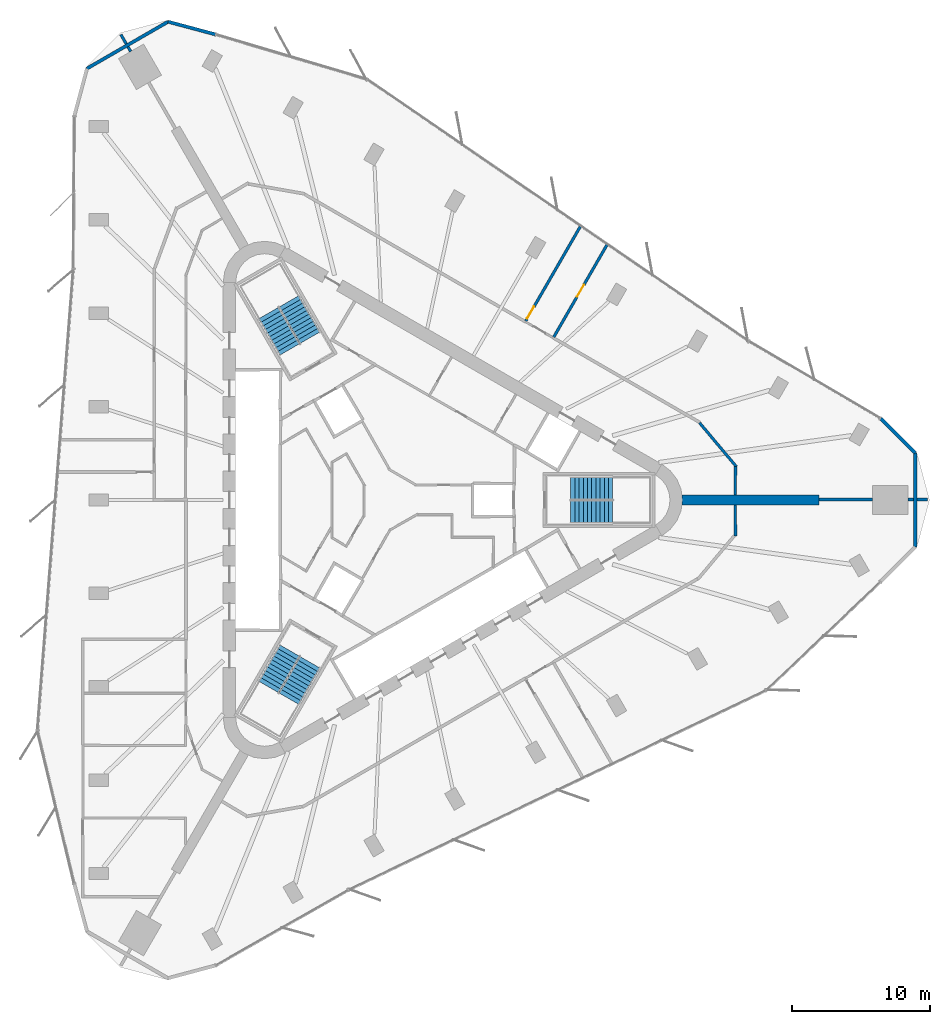
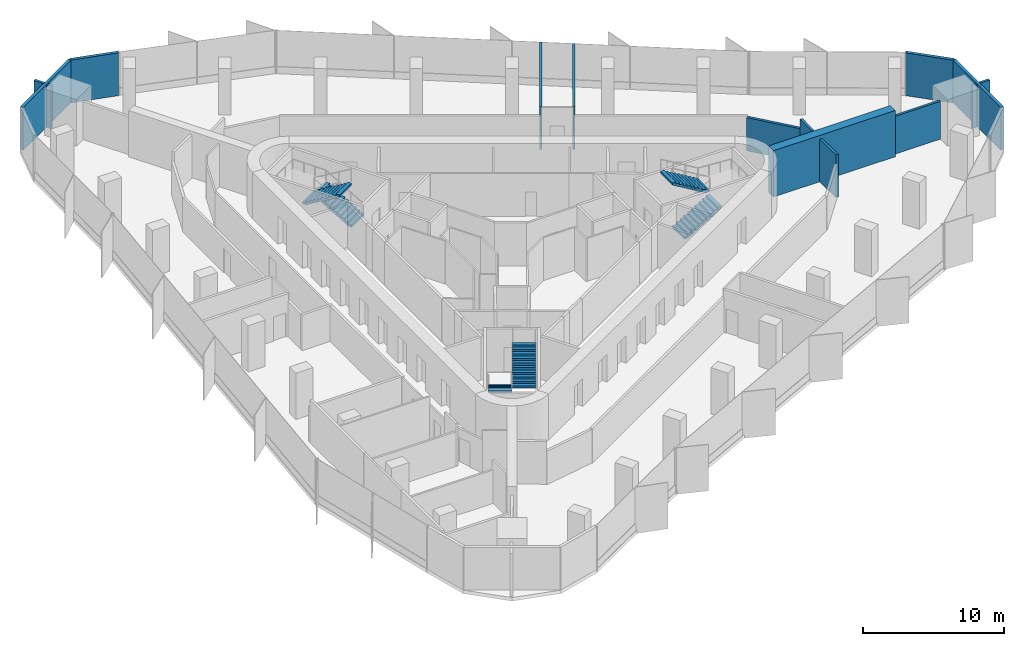
# One storey, part 12 of 13: 15 walls, 6 stair flights, 2 doors, 2 openings, 3 elements without a shape of their own.
"""IFC4 building model written with IfcOpenShell, lengths in metres."""

import ifcopenshell
import ifcopenshell.guid

model = None  # the IFC model being written
_history = None  # IfcOwnerHistory: only IFC2X3 demands one
_inside = {}  # id of a spatial element -> (the spatial element, [elements in it])
_under = {}  # id of a project, library or spatial element -> (it, [spatial elements below it])
_declared = {}  # id of a project -> (the project, [libraries it declares])
_typed = {}  # id of a type object -> (the type object, [elements of that type])
_made_of = {}  # id of a material, layer set ... -> (it, [elements and type objects made of it])


def new_model(schema):
    """Start an empty IFC model of exactly this schema.

    Asked for "IFC4X3", IfcOpenShell would pick the latest addendum, in which some entities
    have other attributes; the version numbers below select the first issue.
    IFC2X3 requires an IfcOwnerHistory on every rooted entity: one is made here for all.
    """
    global model, _history
    if schema == "IFC4X3":
        model = ifcopenshell.file(schema_version=(4, 3, 0, 0))
    else:
        model = ifcopenshell.file(schema=schema)
    _inside.clear()
    _under.clear()
    _declared.clear()
    _typed.clear()
    _made_of.clear()
    _history = None
    if model.schema == "IFC2X3":
        org = make("IfcOrganization", Name="unknown")
        user = make(
            "IfcPersonAndOrganization",
            ThePerson=make("IfcPerson", FamilyName="unknown"),
            TheOrganization=org,
        )
        app = make(
            "IfcApplication",
            ApplicationDeveloper=org,
            Version="unknown",
            ApplicationFullName="unknown",
            ApplicationIdentifier="unknown",
        )
        _history = make(
            "IfcOwnerHistory",
            OwningUser=user,
            OwningApplication=app,
            ChangeAction="ADDED",
            CreationDate=0,
        )
    return model


def make(cls, **values):
    """One entity of the class cls with the attributes given. An attribute that is None is left unset."""
    return model.create_entity(
        cls, **{name: value for name, value in values.items() if value is not None}
    )


def rooted(cls, **values):
    """An entity with a GlobalId (a new one), such as an element, a storey or a relation."""
    return make(cls, GlobalId=ifcopenshell.guid.new(), OwnerHistory=_history, **values)


def si_unit(unit_type, name, prefix=None):
    """IfcSIUnit, for example si_unit("LENGTHUNIT", "METRE", prefix="MILLI")."""
    return make("IfcSIUnit", UnitType=unit_type, Prefix=prefix, Name=name)


def assignment(units):
    """IfcUnitAssignment: the units of a project."""
    return None if units is None else make("IfcUnitAssignment", Units=units)


def point(xyz):
    """IfcCartesianPoint."""
    return None if xyz is None else make("IfcCartesianPoint", Coordinates=xyz)


def direction(xyz):
    """IfcDirection."""
    return None if xyz is None else make("IfcDirection", DirectionRatios=xyz)


def frame(location, z_axis=None, x_axis=None):
    """IfcAxis2Placement3D, a coordinate frame: its origin and axes. An axis left out is left unset."""
    return make(
        "IfcAxis2Placement3D",
        Location=point(location),
        Axis=direction(z_axis),
        RefDirection=direction(x_axis),
    )


def frame_2d(location, x_axis=None):
    """IfcAxis2Placement2D, a coordinate frame in the plane: its origin and x axis."""
    return make(
        "IfcAxis2Placement2D", Location=point(location), RefDirection=direction(x_axis)
    )


def origin():
    """The frame at (0, 0, 0) with its axes left unset."""
    return frame((0.0, 0.0, 0.0))


def place(relative_to, where):
    """IfcLocalPlacement: puts the frame where relative to a parent placement (None: the world)."""
    return make(
        "IfcLocalPlacement", PlacementRelTo=relative_to, RelativePlacement=where
    )


def context(
    kind, dimensions, precision=None, world=None, true_north=None, identifier=None
):
    """IfcGeometricRepresentationContext, for example the 3D "Model" context."""
    return make(
        "IfcGeometricRepresentationContext",
        ContextIdentifier=identifier,
        ContextType=kind,
        CoordinateSpaceDimension=dimensions,
        Precision=precision,
        WorldCoordinateSystem=world,
        TrueNorth=true_north,
    )


def subcontext(parent, identifier, kind, view, scale=None):
    """IfcGeometricRepresentationSubContext, for example "Body" below "Model"."""
    return make(
        "IfcGeometricRepresentationSubContext",
        ContextIdentifier=identifier,
        ContextType=kind,
        ParentContext=parent,
        TargetScale=scale,
        TargetView=view,
    )


def project(units=None, contexts=None):
    """IfcProject with its units and contexts."""
    return rooted(
        "IfcProject",
        Name="project",
        RepresentationContexts=contexts,
        UnitsInContext=assignment(units),
    )


def spatial(cls, under=None, at=None, **own):
    """A site, building, storey or space (cls), placed at a placement, below another one or the project."""
    s = rooted(cls, ObjectPlacement=at, **own)
    if under is not None:
        _under.setdefault(under.id(), (under, []))[1].append(s)
    return s


def polyline(points):
    """IfcPolyline through the points."""
    return make("IfcPolyline", Points=[point(p) for p in points])


def profile(cls, at=None, kind="AREA", **sizes):
    """A parametric profile (cls). Its sizes go by their IFC names, for example OverallWidth=200.0."""
    return make(cls, ProfileType=kind, Position=at, **sizes)


def rectangle(**sizes):
    """IfcRectangleProfileDef."""
    return profile("IfcRectangleProfileDef", **sizes)


def outline(outer, holes=None, kind="AREA"):
    """IfcArbitraryClosedProfileDef: a profile drawn as a closed curve; with holes, ...WithVoids."""
    if holes is None:
        return make("IfcArbitraryClosedProfileDef", ProfileType=kind, OuterCurve=outer)
    return make(
        "IfcArbitraryProfileDefWithVoids",
        ProfileType=kind,
        OuterCurve=outer,
        InnerCurves=holes,
    )


def extrude(swept, where, along, depth):
    """IfcExtrudedAreaSolid: the profile swept, set in the frame where, extruded along a direction by depth."""
    return make(
        "IfcExtrudedAreaSolid",
        SweptArea=swept,
        Position=where,
        ExtrudedDirection=direction(along),
        Depth=depth,
    )


def shape(context_of_items, identifier, shape_type, items):
    """IfcShapeRepresentation: the items that make up one representation, for example the "Body"."""
    return make(
        "IfcShapeRepresentation",
        ContextOfItems=context_of_items,
        RepresentationIdentifier=identifier,
        RepresentationType=shape_type,
        Items=items,
    )


def material(Name=None, Category=None):
    """IfcMaterial."""
    return make("IfcMaterial", Name=Name, Category=Category)


def layer(
    of_material, thickness, ventilated=None, Name=None, Category=None, Priority=None
):
    """IfcMaterialLayer: one layer of a wall or slab, of a material (None: an air gap)."""
    return make(
        "IfcMaterialLayer",
        Material=of_material,
        LayerThickness=thickness,
        IsVentilated=ventilated,
        Name=Name,
        Category=Category,
        Priority=Priority,
    )


def layer_set(layers, Name=None):
    """IfcMaterialLayerSet."""
    return make("IfcMaterialLayerSet", MaterialLayers=layers, LayerSetName=Name)


def made_of(thing, what):
    """Note that an element or type object is made of a material, layer set ...; save() writes the relation."""
    if what is not None:
        _made_of.setdefault(what.id(), (what, []))[1].append(thing)
    return thing


def type_object(cls, material=None, **own):
    """A type object (cls), such as IfcWallType, which elements share."""
    return made_of(rooted(cls, **own), material)


def element(
    cls,
    number,
    at=None,
    inside=None,
    cuts=None,
    type_object=None,
    material=None,
    context=None,
    identifier="Body",
    shape_type=None,
    held_by="IfcProductDefinitionShape",
    body=None,
    shapes=None,
    **own,
):
    """One element of the class cls, such as IfcWall. Its Tag is "e" and its number.

    at: its placement. inside: the storey or other place that contains it. cuts: it is an
    opening in that element (IfcRelVoidsElement). A single representation is given by context,
    identifier, shape_type and body (its items); several are given by shapes. held_by: the class
    of the entity that holds the representations. save() writes the other relations.
    """
    e = rooted(cls, Tag="e%d" % number, ObjectPlacement=at, **own)
    if body is not None:
        shapes = [shape(context, identifier, shape_type, body)]
    if shapes is not None:
        e.Representation = make(held_by, Representations=shapes)
    if inside is not None:
        _inside.setdefault(inside.id(), (inside, []))[1].append(e)
    if cuts is not None:
        rooted(
            "IfcRelVoidsElement", RelatingBuildingElement=cuts, RelatedOpeningElement=e
        )
    if type_object is not None:
        _typed.setdefault(type_object.id(), (type_object, []))[1].append(e)
    return made_of(e, material)


def fill(opening, filler):
    """IfcRelFillsElement: the door or window that sits in an opening."""
    return rooted(
        "IfcRelFillsElement",
        RelatingOpeningElement=opening,
        RelatedBuildingElement=filler,
    )


def aggregate(whole, parts):
    """IfcRelAggregates: a whole, such as a stair, and the parts it consists of."""
    return rooted("IfcRelAggregates", RelatingObject=whole, RelatedObjects=parts)


def save(model, path):
    """Write the relations noted so far, then the file.

    IfcRelAggregates (storeys below a building ...), IfcRelContainedInSpatialStructure (elements
    in a storey), IfcRelDefinesByType, IfcRelAssociatesMaterial and IfcRelDeclares: one each for
    every whole, place, type object, material and project.
    """
    for whole, parts in _under.values():
        aggregate(whole, parts)
    for where, things in _inside.values():
        rooted(
            "IfcRelContainedInSpatialStructure",
            RelatedElements=things,
            RelatingStructure=where,
        )
    for kind, things in _typed.values():
        rooted("IfcRelDefinesByType", RelatedObjects=things, RelatingType=kind)
    for what, things in _made_of.values():
        rooted("IfcRelAssociatesMaterial", RelatedObjects=things, RelatingMaterial=what)
    for by, libraries in _declared.values():
        rooted("IfcRelDeclares", RelatingContext=by, RelatedDefinitions=libraries)
    model.write(path)


model = new_model("IFC4")

# Units and contexts
model_context = context("Model", 3, precision=1e-05, world=origin(), true_north=direction((0.0, 1.0)))
body_context = subcontext(model_context, "Body", "Model", "MODEL_VIEW")
ifc_project = project(units=[si_unit("LENGTHUNIT", "METRE"), si_unit("AREAUNIT", "SQUARE_METRE"), si_unit("VOLUMEUNIT", "CUBIC_METRE"), si_unit("PLANEANGLEUNIT", "RADIAN"), si_unit("MASSUNIT", "GRAM", prefix="KILO")], contexts=[model_context])

# Site, building, storey
site_placement = place(None, origin())
site = spatial("IfcSite", under=ifc_project, at=site_placement, CompositionType="ELEMENT")
building_placement = place(site_placement, origin())
building = spatial("IfcBuilding", under=site, at=building_placement, Name="Tanit Gate Tower", CompositionType="ELEMENT")
storey_placement = place(building_placement, frame((0.0, 0.0, 269.199951171875)))
storey = spatial("IfcBuildingStorey", under=building, at=storey_placement, Name="L61", CompositionType="ELEMENT", Elevation=269.199951171875)

# Walls
ifc_material_1 = material(Name="Concrete C50/60", Category="concrete")
ifc_layer_1 = layer(ifc_material_1, 0.699951171875)
ifc_layer_set_1 = layer_set([ifc_layer_1], Name="BUTTRESS FIN 700 C50/60")
wall_type_1 = type_object("IfcWallType", Name="BUTTRESS FIN 700 C50/60", PredefinedType="SHEAR", material=ifc_layer_set_1)
wall_1_placement = place(storey_placement, frame((21.14990234375, 0.0, 0.0), z_axis=(0.0, 0.0, 1.0), x_axis=(1.0, 0.0, 0.0)))
element("IfcWall", 1, at=wall_1_placement, inside=storey, type_object=wall_type_1, Name="BUTTRESS FIN", PredefinedType="SHEAR", context=body_context, shape_type="SweptSolid", body=[
    extrude(rectangle(XDim=9.964599609375, YDim=0.699951171875, at=frame_2d((4.982421875, 0.0))), origin(), (0.0, 0.0, 1.0), 4.0),
])
ifc_material_2 = material(Name="Concrete C30/37 with bronze anodised aluminium cladding", Category="concrete")
ifc_layer_2 = layer(ifc_material_2, 0.239990234375)
ifc_layer_set_2 = layer_set([ifc_layer_2], Name="Facade wall bronze clad 240")
wall_type_2 = type_object("IfcWallType", Name="Facade wall bronze clad 240", PredefinedType="SOLIDWALL", material=ifc_layer_set_2)
wall_2_placement = place(storey_placement, frame((-12.670166015625, 33.763671875, 0.0), z_axis=(0.0, 0.0, 1.0), x_axis=(-0.965927175343, 0.258814010312, 0.0)))
element("IfcWall", 2, at=wall_2_placement, inside=storey, type_object=wall_type_2, Name="Bronze-clad facade wall L61 NW.arc1", PredefinedType="SOLIDWALL", context=body_context, shape_type="SweptSolid", body=[
    extrude(rectangle(XDim=3.549560546875, YDim=0.239990234375, at=frame_2d((1.77490234375, 0.0))), origin(), (0.0, 0.0, 1.0), 3.699951171875),
])
for number, where, z_axis, x_axis, name in (
    (3, (-16.098876953125, 34.682373046875, 0.0), (0.0, 0.0, 1.0), (-0.866022320763, -0.500005339912, 0.0), "Bronze-clad facade wall L61 NW.arc2"),
    (4, (38.085205078125, -3.399169921875, 0.0), (0.0, 0.0, 1.0), (0.0, 1.0, 0.0), "Bronze-clad facade wall L61 E.arc2"),
):
    element("IfcWall", number, at=place(storey_placement, frame(where, z_axis=z_axis, x_axis=x_axis)), inside=storey, type_object=wall_type_2, Name=name, PredefinedType="SOLIDWALL", context=body_context, shape_type="SweptSolid", body=[
        extrude(rectangle(XDim=6.79833984375, YDim=0.239990234375, at=frame_2d((3.399169921875, 0.0))), origin(), (0.0, 0.0, 1.0), 3.699951171875),
    ])
wall_3_placement = place(storey_placement, frame((38.085205078125, 3.399169921875, 0.0), z_axis=(0.0, 0.0, 1.0), x_axis=(-0.707106781187, 0.707106781187, 0.0)))
element("IfcWall", 5, at=wall_3_placement, inside=storey, type_object=wall_type_2, Name="Bronze-clad facade wall L61 E.arc3", PredefinedType="SOLIDWALL", context=body_context, shape_type="SweptSolid", body=[
    extrude(rectangle(XDim=3.535888671875, YDim=0.239990234375, at=frame_2d((1.76806640625, 0.0))), origin(), (0.0, 0.0, 1.0), 3.699951171875),
])
ifc_material_3 = material(Name="Fire-rated gypsum board partition")
ifc_layer_3 = layer(ifc_material_3, 0.199951171875)
ifc_layer_set_3 = layer_set([ifc_layer_3], Name="INT-WALL-COMPARTMENT")
wall_type_3 = type_object("IfcWallType", Name="INT-WALL-COMPARTMENT", PredefinedType="PARTITIONING", material=ifc_layer_set_3)
wall_4_placement = place(storey_placement, frame((25.12109375, 2.40283203125, 0.0), z_axis=(0.0, 0.0, 1.0), x_axis=(-0.642809831665, 0.766025796116, 0.0)))
element("IfcWall", 6, at=wall_4_placement, inside=storey, type_object=wall_type_3, Name="Wall Compartment W100", PredefinedType="PARTITIONING", context=body_context, shape_type="SweptSolid", body=[
    extrude(rectangle(XDim=4.164794921875, YDim=0.199951171875, at=frame_2d((2.08251953125, 0.0))), origin(), (0.0, 0.0, 1.0), 2.880126953125),
])
wall_5_placement = place(storey_placement, frame((25.0205078125, 0.35009765625, 0.0), z_axis=(0.0, 0.0, 1.0), x_axis=(0.012014998271, 0.999927817303, 0.0)))
element("IfcWall", 7, at=wall_5_placement, inside=storey, type_object=wall_type_3, Name="Wall Compartment W101", PredefinedType="PARTITIONING", context=body_context, shape_type="SweptSolid", body=[
    extrude(rectangle(XDim=2.093017578125, YDim=0.199951171875, at=frame_2d((1.04638671875, 0.0))), origin(), (0.0, 0.0, 1.0), 3.699951171875),
])
wall_6_placement = place(storey_placement, frame((25.047607421875, -2.608154296875, 0.0), z_axis=(0.0, 0.0, 1.0), x_axis=(-0.012000433251, 0.999927992208, 0.0)))
element("IfcWall", 8, at=wall_6_placement, inside=storey, type_object=wall_type_3, Name="Wall Compartment W106", PredefinedType="PARTITIONING", context=body_context, shape_type="SweptSolid", body=[
    extrude(rectangle(XDim=2.25830078125, YDim=0.199951171875, at=frame_2d((1.129150390625, 0.0))), origin(), (0.0, 0.0, 1.0), 3.699951171875),
])
wall_7_placement = place(storey_placement, frame((-19.52001953125, 33.74951171875, 0.0), z_axis=(0.0, 0.0, 1.0), x_axis=(0.499929430274, -0.866066143401, 0.0)))
element("IfcWall", 9, at=wall_7_placement, inside=storey, type_object=wall_type_3, Name="Wall Compartment W122", PredefinedType="PARTITIONING", context=body_context, shape_type="SweptSolid", body=[
    extrude(rectangle(XDim=0.78271484375, YDim=0.199951171875, at=frame_2d((0.391357421875, 0.0))), origin(), (0.0, 0.0, 1.0), 3.699951171875),
])
wall_8_placement = place(storey_placement, frame((-19.008544921875, 32.86376953125, 0.0), z_axis=(0.0, 0.0, 1.0), x_axis=(0.500061319399, -0.865989998118, 0.0)))
element("IfcWall", 10, at=wall_8_placement, inside=storey, type_object=wall_type_3, Name="Wall Compartment W122x1", PredefinedType="PARTITIONING", context=body_context, shape_type="SweptSolid", body=[
    extrude(rectangle(XDim=0.39501953125, YDim=0.199951171875, at=frame_2d((0.197509765625, 0.0))), origin(), (0.0, 0.0, 1.0), 3.699951171875),
])

# Wall, opening, door
wall_9_placement = place(storey_placement, frame((11.864501953125, 11.81005859375, 0.0), z_axis=(0.0, 0.0, 1.0), x_axis=(0.500025956197, 0.866010417449, 0.0)))
wall_9 = element("IfcWall", 11, at=wall_9_placement, inside=storey, type_object=wall_type_3, Name="Wall Compartment W124", PredefinedType="PARTITIONING", context=body_context, shape_type="SweptSolid", body=[
    extrude(rectangle(XDim=7.775390625, YDim=0.199951171875, at=frame_2d((3.8876953125, 0.0))), origin(), (0.0, 0.0, 1.0), 3.699951171875),
])
opening_1_placement = place(wall_9_placement, frame((3.3876953125, 0.0, 0.0)))
opening_1 = element("IfcOpeningElement", 12, at=opening_1_placement, cuts=wall_9, Name="Opening F10-S17-29", PredefinedType="OPENING", context=body_context, shape_type="SweptSolid", body=[
    extrude(rectangle(XDim=1.0, YDim=2.10009765625, at=frame_2d((0.5, 1.050048828125))), frame((0.0, 0.10986328125, 0.0), z_axis=(0.0, -1.0, 0.0), x_axis=(1.0, 0.0, 0.0)), (0.0, 0.0, 1.0), 0.219970703125),
])
ifc_material_4 = material(Name="Fire-rated steel door leaf", Category="steel")
door_type = type_object("IfcDoorType", Name="INT-DOOR-FIRE-1000", OperationType="NOTDEFINED", PredefinedType="USERDEFINED", material=ifc_material_4)
door_1_placement = place(opening_1_placement, origin())
door_1 = element("IfcDoor", 13, at=door_1_placement, inside=storey, type_object=door_type, Name="Door F10-S17-29", ObjectType="FIRE DOOR", OperationType="SINGLE_SWING_LEFT", OverallHeight=2.10009765625, OverallWidth=1.0, PredefinedType="USERDEFINED", context=body_context, shape_type="SweptSolid", body=[
    extrude(rectangle(XDim=1.0, YDim=2.10009765625, at=frame_2d((0.5, 1.050048828125))), frame((0.0, 0.02490234375, 0.0), z_axis=(0.0, -1.0, 0.0), x_axis=(1.0, 0.0, 0.0)), (0.0, 0.0, 1.0), 0.050048828125),
])
fill(opening_1, door_1)

wall_10_placement = place(storey_placement, frame((13.81689453125, 19.87158203125, 0.0), z_axis=(0.0, 0.0, 1.0), x_axis=(-0.499989797406, -0.866031294175, 0.0)))
wall_10 = element("IfcWall", 14, at=wall_10_placement, inside=storey, type_object=wall_type_3, Name="Wall Compartment W125", PredefinedType="PARTITIONING", context=body_context, shape_type="SweptSolid", body=[
    extrude(rectangle(XDim=7.957763671875, YDim=0.199951171875, at=frame_2d((3.97900390625, 0.0))), origin(), (0.0, 0.0, 1.0), 3.699951171875),
])
opening_2_placement = place(wall_10_placement, frame((6.7578125, 0.0, 0.0)))
opening_2 = element("IfcOpeningElement", 15, at=opening_2_placement, cuts=wall_10, Name="Opening F10-S17-30", PredefinedType="OPENING", context=body_context, shape_type="SweptSolid", body=[
    extrude(rectangle(XDim=1.0, YDim=2.10009765625, at=frame_2d((0.5, 1.050048828125))), frame((0.0, 0.10986328125, 0.0), z_axis=(0.0, -1.0, 0.0), x_axis=(1.0, 0.0, 0.0)), (0.0, 0.0, 1.0), 0.219970703125),
])
door_2_placement = place(opening_2_placement, origin())
door_2 = element("IfcDoor", 16, at=door_2_placement, inside=storey, type_object=door_type, Name="Door F10-S17-30", ObjectType="FIRE DOOR", OperationType="SINGLE_SWING_LEFT", OverallHeight=2.10009765625, OverallWidth=1.0, PredefinedType="USERDEFINED", context=body_context, shape_type="SweptSolid", body=[
    extrude(rectangle(XDim=1.0, YDim=2.10009765625, at=frame_2d((0.5, 1.050048828125))), frame((0.0, 0.02490234375, 0.0), z_axis=(0.0, -1.0, 0.0), x_axis=(1.0, 0.0, 0.0)), (0.0, 0.0, 1.0), 0.050048828125),
])
fill(opening_2, door_2)

# Walls
wall_11_placement = place(storey_placement, frame((38.988037109375, 0.030029296875, 0.0), z_axis=(0.0, 0.0, 1.0), x_axis=(-1.0, 0.0, 0.0)))
element("IfcWall", 17, at=wall_11_placement, inside=storey, type_object=wall_type_3, Name="Wall Compartment W127", PredefinedType="PARTITIONING", context=body_context, shape_type="SweptSolid", body=[
    extrude(rectangle(XDim=0.782958984375, YDim=0.199951171875, at=frame_2d((0.3916015625, 0.0))), origin(), (0.0, 0.0, 1.0), 3.699951171875),
])
wall_12_placement = place(storey_placement, frame((37.965087890625, 0.030029296875, 0.0), z_axis=(0.0, 0.0, 1.0), x_axis=(-1.0, 0.0, 0.0)))
element("IfcWall", 18, at=wall_12_placement, inside=storey, type_object=wall_type_3, Name="Wall Compartment W127x1", PredefinedType="PARTITIONING", context=body_context, shape_type="SweptSolid", body=[
    extrude(rectangle(XDim=0.394775390625, YDim=0.199951171875, at=frame_2d((0.197265625, 0.0))), origin(), (0.0, 0.0, 1.0), 3.699951171875),
])
wall_13_placement = place(storey_placement, frame((34.97021484375, 0.030029296875, 0.0), z_axis=(0.0, 0.0, 1.0), x_axis=(-1.0, 0.0, 0.0)))
element("IfcWall", 19, at=wall_13_placement, inside=storey, type_object=wall_type_3, Name="Wall Compartment W126", PredefinedType="PARTITIONING", context=body_context, shape_type="SweptSolid", body=[
    extrude(rectangle(XDim=3.855712890625, YDim=0.199951171875, at=frame_2d((1.927734375, 0.0))), origin(), (0.0, 0.0, 1.0), 3.27001953125),
])

# Stair, stair flights
ifc_material_5 = material(Name="Concrete C40/50", Category="concrete")
stair_type = type_object("IfcStairType", Name="INT-STAIR-EXIT", PredefinedType="HALF_TURN_STAIR", material=ifc_material_5)
stair_1_placement = place(storey_placement, origin())
stair_1 = element("IfcStair", 20, at=stair_1_placement, inside=storey, type_object=stair_type, Name="L61 STAIR S1", PredefinedType="HALF_TURN_STAIR")
ifc_material_6 = material(Name="Concrete C40/50", Category="concrete")
stair_flight_type = type_object("IfcStairFlightType", Name="INT-STAIR-FLIGHT", PredefinedType="STRAIGHT", material=ifc_material_6)
stair_flight_1_placement = place(storey_placement, frame((13.094970703125, -0.8525390625, 0.0), z_axis=(0.0, 0.0, 1.0), x_axis=(1.0, 0.0, 0.0)))
stair_flight_1 = element("IfcStairFlight", 21, at=stair_flight_1_placement, type_object=stair_flight_type, Name="S1 flight 1", NumberOfRisers=11, NumberOfTreads=10, PredefinedType="STRAIGHT", RiserHeight=0.181818182, TreadLength=0.3051, context=body_context, shape_type="SweptSolid", body=[
    extrude(outline(polyline([(0.0, 0.0), (0.0, 0.181884765625), (0.30517578125, 0.181884765625), (0.30517578125, 0.363525390625), (0.610107421875, 0.363525390625), (0.610107421875, 0.54541015625), (0.915283203125, 0.54541015625), (0.915283203125, 0.727294921875), (1.220458984375, 0.727294921875), (1.220458984375, 0.9091796875), (1.525390625, 0.9091796875), (1.525390625, 1.0908203125), (1.83056640625, 1.0908203125), (1.83056640625, 1.272705078125), (2.1357421875, 1.272705078125), (2.1357421875, 1.45458984375), (2.44091796875, 1.45458984375), (2.44091796875, 1.636474609375), (2.745849609375, 1.636474609375), (2.745849609375, 1.818115234375), (3.051025390625, 1.818115234375), (3.051025390625, 2.0), (3.051025390625, 1.643798828125), (0.292724609375, 0.0), (0.0, 0.0)])), frame((0.0, 0.84765625, 0.0), z_axis=(0.0, -1.0, 0.0), x_axis=(1.0, 0.0, 0.0)), (0.0, 0.0, 1.0), 1.695068359375),
])
stair_flight_2_placement = place(storey_placement, frame((16.14599609375, 0.8525390625, 2.0), z_axis=(0.0, 0.0, 1.0), x_axis=(-1.0, 0.0, 0.0)))
stair_flight_2 = element("IfcStairFlight", 22, at=stair_flight_2_placement, type_object=stair_flight_type, Name="S1 flight 2", NumberOfRisers=11, NumberOfTreads=10, PredefinedType="STRAIGHT", RiserHeight=0.181818182, TreadLength=0.3051, context=body_context, shape_type="SweptSolid", body=[
    extrude(outline(polyline([(0.0, 0.0), (0.0, 0.181884765625), (0.30517578125, 0.181884765625), (0.30517578125, 0.363525390625), (0.610107421875, 0.363525390625), (0.610107421875, 0.54541015625), (0.915283203125, 0.54541015625), (0.915283203125, 0.727294921875), (1.220458984375, 0.727294921875), (1.220458984375, 0.9091796875), (1.525390625, 0.9091796875), (1.525390625, 1.0908203125), (1.83056640625, 1.0908203125), (1.83056640625, 1.272705078125), (2.1357421875, 1.272705078125), (2.1357421875, 1.45458984375), (2.44091796875, 1.45458984375), (2.44091796875, 1.636474609375), (2.745849609375, 1.636474609375), (2.745849609375, 1.818115234375), (3.051025390625, 1.818115234375), (3.051025390625, 2.0), (3.051025390625, 1.643798828125), (0.292724609375, 0.0), (0.0, 0.0)])), frame((0.0, 0.84765625, 0.0), z_axis=(0.0, -1.0, 0.0), x_axis=(1.0, 0.0, 0.0)), (0.0, 0.0, 1.0), 1.695068359375),
])
aggregate(stair_1, [stair_flight_1, stair_flight_2])

stair_2_placement = place(storey_placement, origin())
stair_2 = element("IfcStair", 23, at=stair_2_placement, inside=storey, type_object=stair_type, Name="L61 STAIR S2", PredefinedType="HALF_TURN_STAIR")
stair_flight_3_placement = place(storey_placement, frame((-5.808349609375, 11.766357421875, 0.0), z_axis=(0.0, 0.0, 1.0), x_axis=(-0.5, 0.866025403784, 0.0)))
stair_flight_3 = element("IfcStairFlight", 24, at=stair_flight_3_placement, type_object=stair_flight_type, Name="S2 flight 1", NumberOfRisers=11, NumberOfTreads=10, PredefinedType="STRAIGHT", RiserHeight=0.181818182, TreadLength=0.30492, context=body_context, shape_type="SweptSolid", body=[
    extrude(outline(polyline([(0.0, 0.0), (0.0, 0.181884765625), (0.304931640625, 0.181884765625), (0.304931640625, 0.363525390625), (0.60986328125, 0.363525390625), (0.60986328125, 0.54541015625), (0.914794921875, 0.54541015625), (0.914794921875, 0.727294921875), (1.2197265625, 0.727294921875), (1.2197265625, 0.9091796875), (1.524658203125, 0.9091796875), (1.524658203125, 1.0908203125), (1.82958984375, 1.0908203125), (1.82958984375, 1.272705078125), (2.134521484375, 1.272705078125), (2.134521484375, 1.45458984375), (2.439453125, 1.45458984375), (2.439453125, 1.636474609375), (2.744384765625, 1.636474609375), (2.744384765625, 1.818115234375), (3.04931640625, 1.818115234375), (3.04931640625, 2.0), (3.04931640625, 1.6435546875), (0.292724609375, 0.0), (0.0, 0.0)])), frame((0.0, 0.84716796875, 0.0), z_axis=(0.0, -1.0, 0.0), x_axis=(1.0, 0.0, 0.0)), (0.0, 0.0, 1.0), 1.694091796875),
])
stair_flight_4_placement = place(storey_placement, frame((-8.810302734375, 13.553955078125, 2.0), z_axis=(0.0, 0.0, 1.0), x_axis=(0.5, -0.866025403784, 0.0)))
stair_flight_4 = element("IfcStairFlight", 25, at=stair_flight_4_placement, type_object=stair_flight_type, Name="S2 flight 2", NumberOfRisers=11, NumberOfTreads=10, PredefinedType="STRAIGHT", RiserHeight=0.181818182, TreadLength=0.30492, context=body_context, shape_type="SweptSolid", body=[
    extrude(outline(polyline([(0.0, 0.0), (0.0, 0.181884765625), (0.304931640625, 0.181884765625), (0.304931640625, 0.363525390625), (0.60986328125, 0.363525390625), (0.60986328125, 0.54541015625), (0.914794921875, 0.54541015625), (0.914794921875, 0.727294921875), (1.2197265625, 0.727294921875), (1.2197265625, 0.9091796875), (1.524658203125, 0.9091796875), (1.524658203125, 1.0908203125), (1.82958984375, 1.0908203125), (1.82958984375, 1.272705078125), (2.134521484375, 1.272705078125), (2.134521484375, 1.45458984375), (2.439453125, 1.45458984375), (2.439453125, 1.636474609375), (2.744384765625, 1.636474609375), (2.744384765625, 1.818115234375), (3.04931640625, 1.818115234375), (3.04931640625, 2.0), (3.04931640625, 1.6435546875), (0.292724609375, 0.0), (0.0, 0.0)])), frame((0.0, 0.84716796875, 0.0), z_axis=(0.0, -1.0, 0.0), x_axis=(1.0, 0.0, 0.0)), (0.0, 0.0, 1.0), 1.694091796875),
])
aggregate(stair_2, [stair_flight_3, stair_flight_4])

stair_3_placement = place(storey_placement, origin())
stair_3 = element("IfcStair", 26, at=stair_3_placement, inside=storey, type_object=stair_type, Name="L61 STAIR S3", PredefinedType="HALF_TURN_STAIR")
stair_flight_5_placement = place(storey_placement, frame((-7.285888671875, -10.914306640625, 0.0), z_axis=(0.0, 0.0, 1.0), x_axis=(-0.5, -0.866025403784, 0.0)))
stair_flight_5 = element("IfcStairFlight", 27, at=stair_flight_5_placement, type_object=stair_flight_type, Name="S3 flight 1", NumberOfRisers=11, NumberOfTreads=10, PredefinedType="STRAIGHT", RiserHeight=0.181818182, TreadLength=0.3051, context=body_context, shape_type="SweptSolid", body=[
    extrude(outline(polyline([(0.0, 0.0), (0.0, 0.181884765625), (0.30517578125, 0.181884765625), (0.30517578125, 0.363525390625), (0.610107421875, 0.363525390625), (0.610107421875, 0.54541015625), (0.915283203125, 0.54541015625), (0.915283203125, 0.727294921875), (1.220458984375, 0.727294921875), (1.220458984375, 0.9091796875), (1.525390625, 0.9091796875), (1.525390625, 1.0908203125), (1.83056640625, 1.0908203125), (1.83056640625, 1.272705078125), (2.1357421875, 1.272705078125), (2.1357421875, 1.45458984375), (2.44091796875, 1.45458984375), (2.44091796875, 1.636474609375), (2.745849609375, 1.636474609375), (2.745849609375, 1.818115234375), (3.051025390625, 1.818115234375), (3.051025390625, 2.0), (3.051025390625, 1.643798828125), (0.292724609375, 0.0), (0.0, 0.0)])), frame((0.0, 0.84765625, 0.0), z_axis=(0.0, -1.0, 0.0), x_axis=(1.0, 0.0, 0.0)), (0.0, 0.0, 1.0), 1.695068359375),
])
stair_flight_6_placement = place(storey_placement, frame((-7.334716796875, -14.4091796875, 2.0), z_axis=(0.0, 0.0, 1.0), x_axis=(0.5, 0.866025403784, 0.0)))
stair_flight_6 = element("IfcStairFlight", 28, at=stair_flight_6_placement, type_object=stair_flight_type, Name="S3 flight 2", NumberOfRisers=11, NumberOfTreads=10, PredefinedType="STRAIGHT", RiserHeight=0.181818182, TreadLength=0.3051, context=body_context, shape_type="SweptSolid", body=[
    extrude(outline(polyline([(0.0, 0.0), (0.0, 0.181884765625), (0.30517578125, 0.181884765625), (0.30517578125, 0.363525390625), (0.610107421875, 0.363525390625), (0.610107421875, 0.54541015625), (0.915283203125, 0.54541015625), (0.915283203125, 0.727294921875), (1.220458984375, 0.727294921875), (1.220458984375, 0.9091796875), (1.525390625, 0.9091796875), (1.525390625, 1.0908203125), (1.83056640625, 1.0908203125), (1.83056640625, 1.272705078125), (2.1357421875, 1.272705078125), (2.1357421875, 1.45458984375), (2.44091796875, 1.45458984375), (2.44091796875, 1.636474609375), (2.745849609375, 1.636474609375), (2.745849609375, 1.818115234375), (3.051025390625, 1.818115234375), (3.051025390625, 2.0), (3.051025390625, 1.643798828125), (0.292724609375, 0.0), (0.0, 0.0)])), frame((0.0, 0.84765625, 0.0), z_axis=(0.0, -1.0, 0.0), x_axis=(1.0, 0.0, 0.0)), (0.0, 0.0, 1.0), 1.695068359375),
])
aggregate(stair_3, [stair_flight_5, stair_flight_6])

save(model, "model.ifc")
